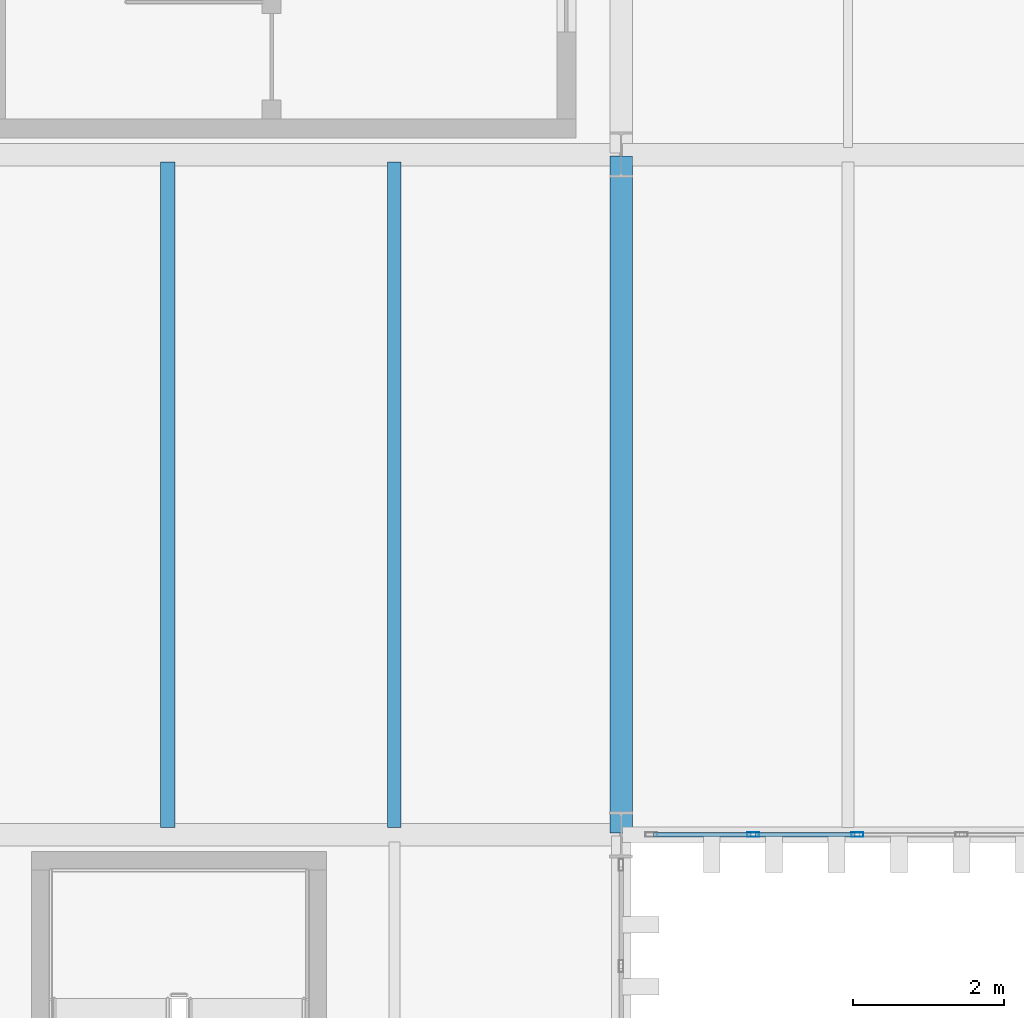
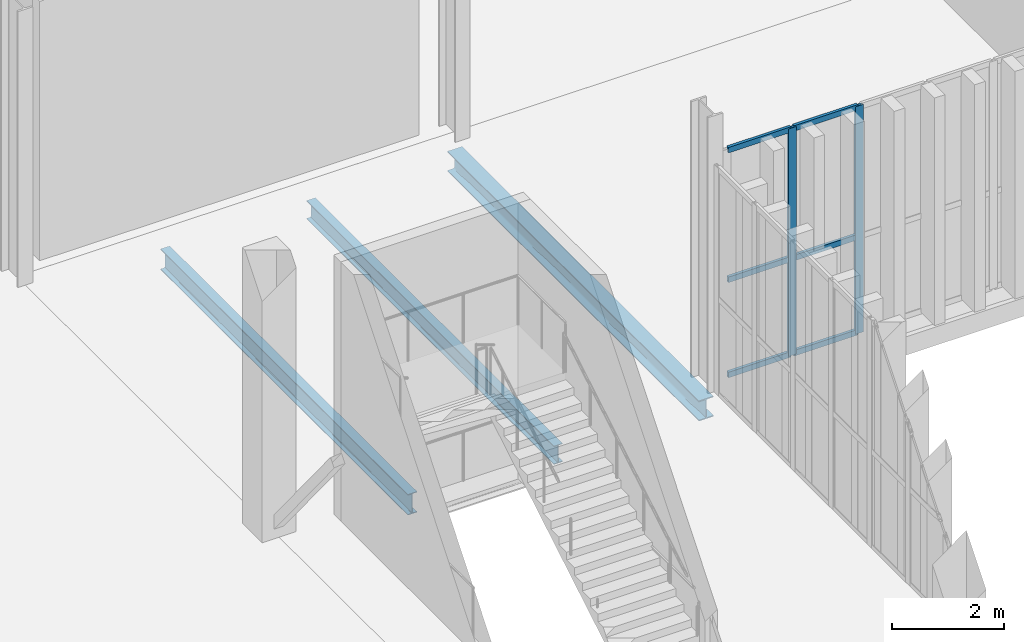
# One storey, part 111 of 211: 8 members, 3 beams, 1 element without a shape of its own.
"""IFC4 building model written with IfcOpenShell, lengths in metres."""

from ifc_helpers import new_model, si_unit, direction, frame, origin, origin_2d, place, context, subcontext, project, spatial, hollow_rectangle, i_section, extrude, material, layer, layer_set, material_profile, profile_set, type_object, element, aggregate, save


model = new_model("IFC4")

# Units and contexts
model_context = context("Model", 3, precision=1e-05, world=origin(), true_north=direction((0.0, 1.0)))
body_context = subcontext(model_context, "Body", "Model", "MODEL_VIEW")
ifc_project = project(units=[si_unit("LENGTHUNIT", "METRE"), si_unit("AREAUNIT", "SQUARE_METRE"), si_unit("VOLUMEUNIT", "CUBIC_METRE"), si_unit("PLANEANGLEUNIT", "RADIAN"), si_unit("MASSUNIT", "GRAM", prefix="KILO")], contexts=[model_context])

# Site, building, storey
site_placement = place(None, origin())
site = spatial("IfcSite", under=ifc_project, at=site_placement, CompositionType="ELEMENT")
building_placement = place(site_placement, origin())
building = spatial("IfcBuilding", under=site, at=building_placement, Name="Barlavento Convention Centre", CompositionType="ELEMENT")
storey_placement = place(building_placement, frame((0.0, 0.0, 6.0)))
storey = spatial("IfcBuildingStorey", under=building, at=storey_placement, Name="L01", CompositionType="ELEMENT", Elevation=6.0)

# Curtain wall, members
ifc_material_1 = material(Name="Powder-coated aluminium and Low-E glass", Category="aluminium")
ifc_layer = layer(ifc_material_1, 0.195068359375)
ifc_layer_set = layer_set([ifc_layer], Name="ARC-CW-PATIO-A")
curtain_wall_type = type_object("IfcCurtainWallType", Name="ARC-CW-PATIO-A", PredefinedType="NOTDEFINED", material=ifc_layer_set)
curtain_wall_placement = place(storey_placement, origin())
curtain_wall = element("IfcCurtainWall", 1, at=curtain_wall_placement, inside=storey, type_object=curtain_wall_type, Name="L01 unitised curtain wall CW11", PredefinedType="NOTDEFINED")
ifc_material_2 = material(Name="Powder-coated aluminium", Category="aluminium")
ifc_material_profile_1 = material_profile(ifc_material_2, hollow_rectangle(XDim=0.06005859375, YDim=0.159912109375, WallThickness=0.00390625, at=origin_2d()), Name="AL-MULL 60x160x4")
ifc_profile_set_1 = profile_set([ifc_material_profile_1], Name="Powder-coated aluminium")
member_type_1 = type_object("IfcMemberType", Name="ARC-CWM-60X160", PredefinedType="MULLION", material=ifc_profile_set_1)
member_1_placement = place(storey_placement, frame((136.748291015625, 90.0, 0.0), z_axis=(0.0, 0.0, 1.0), x_axis=(0.0, 1.0, 0.0)))
member_1 = element("IfcMember", 2, at=member_1_placement, type_object=member_type_1, Name="CW11 mullion 2", PredefinedType="MULLION", context=body_context, shape_type="SweptSolid", body=[
    extrude(hollow_rectangle(XDim=0.06005859375, YDim=0.159912109375, WallThickness=0.00390625, at=origin_2d()), origin(), (0.0, 0.0, 1.0), 4.949951171875),
])
member_2_placement = place(storey_placement, frame((138.126708984375, 90.0, 0.0), z_axis=(0.0, 0.0, 1.0), x_axis=(0.0, 1.0, 0.0)))
member_2 = element("IfcMember", 3, at=member_2_placement, type_object=member_type_1, Name="CW11 mullion 3", PredefinedType="MULLION", context=body_context, shape_type="SweptSolid", body=[
    extrude(hollow_rectangle(XDim=0.06005859375, YDim=0.159912109375, WallThickness=0.00390625, at=origin_2d()), origin(), (0.0, 0.0, 1.0), 4.949951171875),
])
ifc_material_profile_2 = material_profile(ifc_material_2, hollow_rectangle(XDim=0.06005859375, YDim=0.1201171875, WallThickness=0.00390625, at=origin_2d()), Name="AL-TRAN 60x120x4")
ifc_profile_set_2 = profile_set([ifc_material_profile_2], Name="Powder-coated aluminium")
member_type_2 = type_object("IfcMemberType", Name="ARC-CWT-60X120", PredefinedType="USERDEFINED", material=ifc_profile_set_2)
member_3_placement = place(storey_placement, frame((135.429931640625, 90.0, 0.030029296875), z_axis=(1.0, 0.0, 0.0), x_axis=(0.0, 1.0, 0.0)))
member_3 = element("IfcMember", 4, at=member_3_placement, type_object=member_type_2, Name="CW11 transom 1.1", ObjectType="TRANSOM", PredefinedType="USERDEFINED", context=body_context, shape_type="SweptSolid", body=[
    extrude(hollow_rectangle(XDim=0.06005859375, YDim=0.1201171875, WallThickness=0.00390625, at=origin_2d()), origin(), (0.0, 0.0, 1.0), 1.288330078125),
])
member_4_placement = place(storey_placement, frame((135.429931640625, 90.0, 2.10009765625), z_axis=(1.0, 0.0, 0.0), x_axis=(0.0, 1.0, 0.0)))
member_4 = element("IfcMember", 5, at=member_4_placement, type_object=member_type_2, Name="CW11 transom 1.2", ObjectType="TRANSOM", PredefinedType="USERDEFINED", context=body_context, shape_type="SweptSolid", body=[
    extrude(hollow_rectangle(XDim=0.06005859375, YDim=0.1201171875, WallThickness=0.00390625, at=origin_2d()), origin(), (0.0, 0.0, 1.0), 1.288330078125),
])
member_5_placement = place(storey_placement, frame((135.429931640625, 90.0, 4.919921875), z_axis=(1.0, 0.0, 0.0), x_axis=(0.0, 1.0, 0.0)))
member_5 = element("IfcMember", 6, at=member_5_placement, type_object=member_type_2, Name="CW11 transom 1.3", ObjectType="TRANSOM", PredefinedType="USERDEFINED", context=body_context, shape_type="SweptSolid", body=[
    extrude(hollow_rectangle(XDim=0.06005859375, YDim=0.1201171875, WallThickness=0.00390625, at=origin_2d()), origin(), (0.0, 0.0, 1.0), 1.288330078125),
])
member_6_placement = place(storey_placement, frame((136.7783203125, 90.0, 0.030029296875), z_axis=(1.0, 0.0, 0.0), x_axis=(0.0, 1.0, 0.0)))
member_6 = element("IfcMember", 7, at=member_6_placement, type_object=member_type_2, Name="CW11 transom 2.1", ObjectType="TRANSOM", PredefinedType="USERDEFINED", context=body_context, shape_type="SweptSolid", body=[
    extrude(hollow_rectangle(XDim=0.06005859375, YDim=0.1201171875, WallThickness=0.00390625, at=origin_2d()), origin(), (0.0, 0.0, 1.0), 1.318359375),
])
member_7_placement = place(storey_placement, frame((136.7783203125, 90.0, 2.10009765625), z_axis=(1.0, 0.0, 0.0), x_axis=(0.0, 1.0, 0.0)))
member_7 = element("IfcMember", 8, at=member_7_placement, type_object=member_type_2, Name="CW11 transom 2.2", ObjectType="TRANSOM", PredefinedType="USERDEFINED", context=body_context, shape_type="SweptSolid", body=[
    extrude(hollow_rectangle(XDim=0.06005859375, YDim=0.1201171875, WallThickness=0.00390625, at=origin_2d()), origin(), (0.0, 0.0, 1.0), 1.318359375),
])
member_8_placement = place(storey_placement, frame((136.7783203125, 90.0, 4.919921875), z_axis=(1.0, 0.0, 0.0), x_axis=(0.0, 1.0, 0.0)))
member_8 = element("IfcMember", 9, at=member_8_placement, type_object=member_type_2, Name="CW11 transom 2.3", ObjectType="TRANSOM", PredefinedType="USERDEFINED", context=body_context, shape_type="SweptSolid", body=[
    extrude(hollow_rectangle(XDim=0.06005859375, YDim=0.1201171875, WallThickness=0.00390625, at=origin_2d()), origin(), (0.0, 0.0, 1.0), 1.318359375),
])
aggregate(curtain_wall, [member_1, member_2, member_3, member_4, member_5, member_6, member_7, member_8])

# Beams
ifc_material_3 = material(Name="Steel S355", Category="steel")
ifc_material_profile_3 = material_profile(ifc_material_3, i_section(OverallWidth=0.179931640625, OverallDepth=0.39990234375, WebThickness=0.008544921875, FlangeThickness=0.013427734375, FilletRadius=0.02099609375, at=origin_2d()), Name="IPE 400")
ifc_profile_set_3 = profile_set([ifc_material_profile_3], Name="Steel S355")
beam_type_1 = type_object("IfcBeamType", Name="STR-BM-JST-IPE400", PredefinedType="JOIST", material=ifc_profile_set_3)
beam_1_placement = place(storey_placement, frame((132.0, 90.094970703125, -0.56005859375), z_axis=(0.0, 1.0, 0.0), x_axis=(-1.0, 0.0, 0.0)))
element("IfcBeam", 10, at=beam_1_placement, inside=storey, type_object=beam_type_1, Name="L01 composite floor joist SJ04", PredefinedType="JOIST", context=body_context, shape_type="SweptSolid", body=[
    extrude(i_section(OverallWidth=0.179931640625, OverallDepth=0.39990234375, WebThickness=0.008544921875, FlangeThickness=0.013427734375, FilletRadius=0.02099609375, at=origin_2d()), origin(), (0.0, 0.0, 1.0), 8.81005859375),
])
ifc_material_profile_4 = material_profile(ifc_material_3, i_section(OverallWidth=0.18994140625, OverallDepth=0.449951171875, WebThickness=0.009521484375, FlangeThickness=0.0146484375, FilletRadius=0.02099609375, at=origin_2d()), Name="IPE 450")
ifc_profile_set_4 = profile_set([ifc_material_profile_4], Name="Steel S355")
beam_type_2 = type_object("IfcBeamType", Name="STR-BM-JST-IPE450", PredefinedType="JOIST", material=ifc_profile_set_4)
beam_2_placement = place(storey_placement, frame((129.0, 90.094970703125, -0.5849609375), z_axis=(0.0, 1.0, 0.0), x_axis=(-1.0, 0.0, 0.0)))
element("IfcBeam", 11, at=beam_2_placement, inside=storey, type_object=beam_type_2, Name="L01 composite floor joist SJ03", PredefinedType="JOIST", context=body_context, shape_type="SweptSolid", body=[
    extrude(i_section(OverallWidth=0.18994140625, OverallDepth=0.449951171875, WebThickness=0.009521484375, FlangeThickness=0.0146484375, FilletRadius=0.02099609375, at=origin_2d()), origin(), (0.0, 0.0, 1.0), 8.81005859375),
])
ifc_material_profile_5 = material_profile(ifc_material_3, i_section(OverallWidth=0.300048828125, OverallDepth=0.43994140625, WebThickness=0.011474609375, FlangeThickness=0.02099609375, FilletRadius=0.027099609375, at=origin_2d()), Name="HEA 450")
ifc_profile_set_5 = profile_set([ifc_material_profile_5], Name="Steel S355")
beam_type_3 = type_object("IfcBeamType", Name="STR-BM-PRI-HEA450", PredefinedType="BEAM", material=ifc_profile_set_5)
beam_3_placement = place(storey_placement, frame((135.0, 90.02001953125, -0.580078125), z_axis=(0.0, 1.0, 0.0), x_axis=(-1.0, 0.0, 0.0)))
element("IfcBeam", 12, at=beam_3_placement, inside=storey, type_object=beam_type_3, Name="L01 grid girder BG21", PredefinedType="BEAM", context=body_context, shape_type="SweptSolid", body=[
    extrude(i_section(OverallWidth=0.300048828125, OverallDepth=0.43994140625, WebThickness=0.011474609375, FlangeThickness=0.02099609375, FilletRadius=0.027099609375, at=origin_2d()), origin(), (0.0, 0.0, 1.0), 8.9599609375),
])

save(model, "model.ifc")
